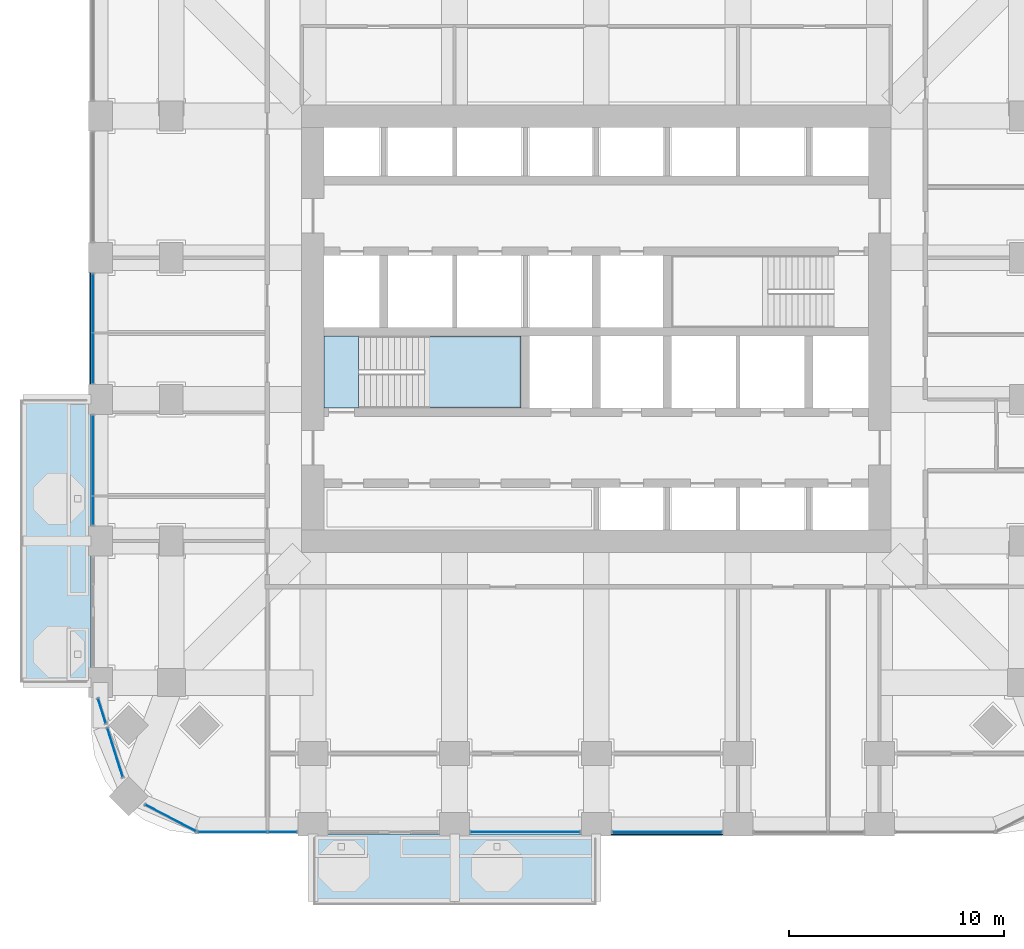
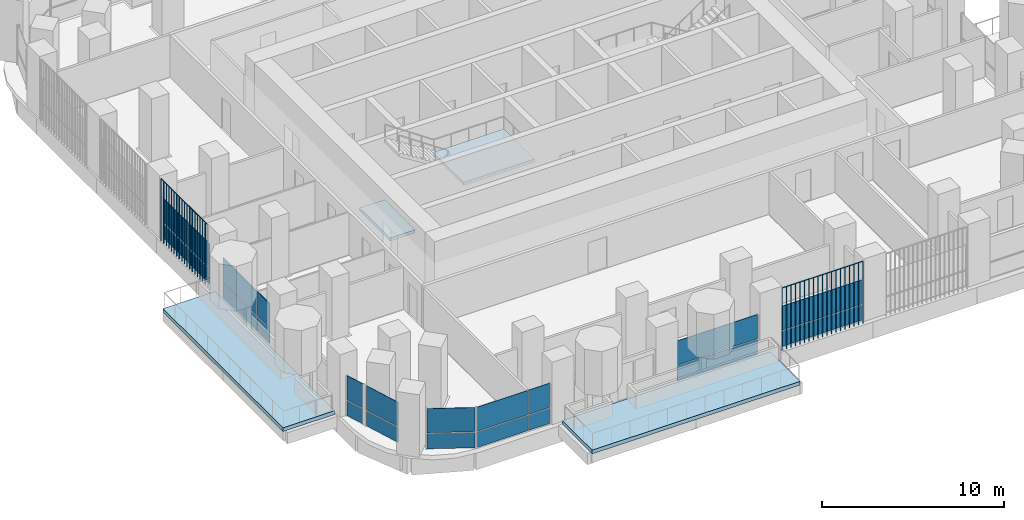
# One storey, part 8 of 21: 24 plates, 4 slabs, 9 elements without a shape of their own.
"""IFC4 building model written with IfcOpenShell, lengths in metres."""

from ifc_helpers import new_model, si_unit, direction, frame, origin, origin_2d, place, context, subcontext, project, spatial, polyline, rectangle, outline, extrude, material, layer, layer_set, type_object, element, aggregate, save


model = new_model("IFC4")

# Units and contexts
model_context = context("Model", 3, precision=1e-05, world=origin(), true_north=direction((0.0, 1.0)))
body_context = subcontext(model_context, "Body", "Model", "MODEL_VIEW")
ifc_project = project(units=[si_unit("LENGTHUNIT", "METRE"), si_unit("AREAUNIT", "SQUARE_METRE"), si_unit("VOLUMEUNIT", "CUBIC_METRE"), si_unit("PLANEANGLEUNIT", "RADIAN"), si_unit("MASSUNIT", "GRAM", prefix="KILO")], contexts=[model_context])

# Site, building, storey
site_placement = place(None, origin())
site = spatial("IfcSite", under=ifc_project, at=site_placement, CompositionType="ELEMENT")
building_placement = place(site_placement, origin())
building = spatial("IfcBuilding", under=site, at=building_placement, Name="Cobogo Forest Laboratory Tower", CompositionType="ELEMENT")
storey_placement = place(building_placement, frame((0.0, 0.0, 124.199951171875)))
storey = spatial("IfcBuildingStorey", under=building, at=storey_placement, Name="L28", CompositionType="ELEMENT", Elevation=124.199951171875)

# Slabs
ifc_material_1 = material(Name="Concrete HA-40 (C40/50)", Category="concrete")
ifc_layer_1 = layer(ifc_material_1, 0.25)
ifc_layer_set_1 = layer_set([ifc_layer_1], Name="Balcony slab 250")
slab_type_1 = type_object("IfcSlabType", Name="Balcony slab 250", PredefinedType="FLOOR", material=ifc_layer_set_1)
slab_1_placement = place(storey_placement, frame((0.0, 0.0, -0.25)))
element("IfcSlab", 1, at=slab_1_placement, inside=storey, type_object=slab_type_1, Name="Balcony BAL-S1 L28", PredefinedType="FLOOR", context=body_context, shape_type="SweptSolid", body=[
    extrude(outline(polyline([(13.199951171875, -3.75), (26.39990234375, -3.75), (26.39990234375, -0.449951171875), (13.199951171875, -0.449951171875), (13.199951171875, -3.75)])), origin(), (0.0, 0.0, 1.0), 0.25),
])
slab_2_placement = place(storey_placement, frame((0.0, 0.0, -0.25)))
element("IfcSlab", 2, at=slab_2_placement, inside=storey, type_object=slab_type_1, Name="Balcony BAL-W1 L28", PredefinedType="FLOOR", context=body_context, shape_type="SweptSolid", body=[
    extrude(outline(polyline([(-0.449951171875, 6.60009765625), (2.85009765625, 6.60009765625), (2.85009765625, 19.800048828125), (-0.449951171875, 19.800048828125), (-0.449951171875, 6.60009765625)])), origin(), (0.0, 0.0, 1.0), 0.25),
])

# Curtain wall, plates
ifc_material_2 = material(Name="Aluminium curtain wall", Category="aluminium")
curtain_wall_type = type_object("IfcCurtainWallType", Name="CW-1 unitised curtain wall, clear glazing, laboratory floors zones A and B", PredefinedType="USERDEFINED", material=ifc_material_2)
curtain_wall_1_placement = place(storey_placement, origin())
curtain_wall_1 = element("IfcCurtainWall", 3, at=curtain_wall_1_placement, inside=storey, type_object=curtain_wall_type, Name="Curtain wall 01 L28", ObjectType="UNITISED CURTAIN WALL", PredefinedType="USERDEFINED")
ifc_material_3 = material(Name="Clear insulated glass", Category="glass")
ifc_layer_2 = layer(ifc_material_3, 0.028076171875)
ifc_layer_set_2 = layer_set([ifc_layer_2], Name="GP-1 clear insulated glass unit 28")
plate_type_1 = type_object("IfcPlateType", Name="GP-1 clear insulated glass unit 28", PredefinedType="CURTAIN_PANEL", material=ifc_layer_set_2)
plate_1_placement = place(storey_placement, frame((9.452392578125, -0.35009765625, 0.0), z_axis=(0.0, 0.0, 1.0), x_axis=(1.0, 0.0, 0.0)))
plate_1 = element("IfcPlate", 4, at=plate_1_placement, type_object=plate_type_1, Name="CW-1 panel 1.1", PredefinedType="CURTAIN_PANEL", context=body_context, shape_type="SweptSolid", body=[
    extrude(rectangle(XDim=3.18505859375, YDim=0.028076171875, at=origin_2d()), origin(), (0.0, 0.0, 1.0), 1.02001953125),
])
plate_2_placement = place(storey_placement, frame((9.452392578125, -0.35009765625, 1.080078125), z_axis=(0.0, 0.0, 1.0), x_axis=(1.0, 0.0, 0.0)))
plate_2 = element("IfcPlate", 5, at=plate_2_placement, type_object=plate_type_1, Name="CW-1 panel 1.2", PredefinedType="CURTAIN_PANEL", context=body_context, shape_type="SweptSolid", body=[
    extrude(rectangle(XDim=3.18505859375, YDim=0.028076171875, at=origin_2d()), origin(), (0.0, 0.0, 1.0), 1.6201171875),
])
plate_3_placement = place(storey_placement, frame((11.7724609375, -0.35009765625, 0.0), z_axis=(0.0, 0.0, 1.0), x_axis=(1.0, 0.0, 0.0)))
plate_3 = element("IfcPlate", 6, at=plate_3_placement, type_object=plate_type_1, Name="CW-1 panel 2.1", PredefinedType="CURTAIN_PANEL", context=body_context, shape_type="SweptSolid", body=[
    extrude(rectangle(XDim=1.3349609375, YDim=0.028076171875, at=origin_2d()), origin(), (0.0, 0.0, 1.0), 1.02001953125),
])
plate_4_placement = place(storey_placement, frame((11.7724609375, -0.35009765625, 1.080078125), z_axis=(0.0, 0.0, 1.0), x_axis=(1.0, 0.0, 0.0)))
plate_4 = element("IfcPlate", 7, at=plate_4_placement, type_object=plate_type_1, Name="CW-1 panel 2.2", PredefinedType="CURTAIN_PANEL", context=body_context, shape_type="SweptSolid", body=[
    extrude(rectangle(XDim=1.3349609375, YDim=0.028076171875, at=origin_2d()), origin(), (0.0, 0.0, 1.0), 1.6201171875),
])
aggregate(curtain_wall_1, [plate_1, plate_2, plate_3, plate_4])

curtain_wall_2_placement = place(storey_placement, origin())
curtain_wall_2 = element("IfcCurtainWall", 8, at=curtain_wall_2_placement, inside=storey, type_object=curtain_wall_type, Name="Curtain wall 03 L28", ObjectType="UNITISED CURTAIN WALL", PredefinedType="USERDEFINED")
plate_5_placement = place(storey_placement, frame((23.10009765625, -0.35009765625, 0.0), z_axis=(0.0, 0.0, 1.0), x_axis=(1.0, 0.0, 0.0)))
plate_5 = element("IfcPlate", 9, at=plate_5_placement, type_object=plate_type_1, Name="CW-1 panel 1.1", PredefinedType="CURTAIN_PANEL", context=body_context, shape_type="SweptSolid", body=[
    extrude(rectangle(XDim=5.080078125, YDim=0.028076171875, at=origin_2d()), origin(), (0.0, 0.0, 1.0), 1.02001953125),
])
plate_6_placement = place(storey_placement, frame((23.10009765625, -0.35009765625, 1.080078125), z_axis=(0.0, 0.0, 1.0), x_axis=(1.0, 0.0, 0.0)))
plate_6 = element("IfcPlate", 10, at=plate_6_placement, type_object=plate_type_1, Name="CW-1 panel 1.2", PredefinedType="CURTAIN_PANEL", context=body_context, shape_type="SweptSolid", body=[
    extrude(rectangle(XDim=5.080078125, YDim=0.028076171875, at=origin_2d()), origin(), (0.0, 0.0, 1.0), 1.6201171875),
])
aggregate(curtain_wall_2, [plate_5, plate_6])

curtain_wall_3_placement = place(storey_placement, origin())
curtain_wall_3 = element("IfcCurtainWall", 11, at=curtain_wall_3_placement, inside=storey, type_object=curtain_wall_type, Name="Curtain wall 04 L28", ObjectType="UNITISED CURTAIN WALL", PredefinedType="USERDEFINED")
plate_7_placement = place(storey_placement, frame((29.699951171875, -0.35009765625, 0.0), z_axis=(0.0, 0.0, 1.0), x_axis=(1.0, 0.0, 0.0)))
plate_7 = element("IfcPlate", 12, at=plate_7_placement, type_object=plate_type_1, Name="CW-1 panel 1.1", PredefinedType="CURTAIN_PANEL", context=body_context, shape_type="SweptSolid", body=[
    extrude(rectangle(XDim=5.080078125, YDim=0.028076171875, at=origin_2d()), origin(), (0.0, 0.0, 1.0), 1.02001953125),
])
plate_8_placement = place(storey_placement, frame((29.699951171875, -0.35009765625, 1.080078125), z_axis=(0.0, 0.0, 1.0), x_axis=(1.0, 0.0, 0.0)))
plate_8 = element("IfcPlate", 13, at=plate_8_placement, type_object=plate_type_1, Name="CW-1 panel 1.2", PredefinedType="CURTAIN_PANEL", context=body_context, shape_type="SweptSolid", body=[
    extrude(rectangle(XDim=5.080078125, YDim=0.028076171875, at=origin_2d()), origin(), (0.0, 0.0, 1.0), 1.6201171875),
])
aggregate(curtain_wall_3, [plate_7, plate_8])

curtain_wall_4_placement = place(storey_placement, origin())
curtain_wall_4 = element("IfcCurtainWall", 14, at=curtain_wall_4_placement, inside=storey, type_object=curtain_wall_type, Name="Curtain wall 29 L28", ObjectType="UNITISED CURTAIN WALL", PredefinedType="USERDEFINED")
plate_9_placement = place(storey_placement, frame((2.949951171875, 24.284912109375, 0.0), z_axis=(0.0, 0.0, 1.0), x_axis=(0.0, -1.0, 0.0)))
plate_9 = element("IfcPlate", 15, at=plate_9_placement, type_object=plate_type_1, Name="CW-1 panel 1.1", PredefinedType="CURTAIN_PANEL", context=body_context, shape_type="SweptSolid", body=[
    extrude(rectangle(XDim=2.7099609375, YDim=0.028076171875, at=origin_2d()), origin(), (0.0, 0.0, 1.0), 1.02001953125),
])
plate_10_placement = place(storey_placement, frame((2.949951171875, 24.284912109375, 1.080078125), z_axis=(0.0, 0.0, 1.0), x_axis=(0.0, -1.0, 0.0)))
plate_10 = element("IfcPlate", 16, at=plate_10_placement, type_object=plate_type_1, Name="CW-1 panel 1.2", PredefinedType="CURTAIN_PANEL", context=body_context, shape_type="SweptSolid", body=[
    extrude(rectangle(XDim=2.7099609375, YDim=0.028076171875, at=origin_2d()), origin(), (0.0, 0.0, 1.0), 1.6201171875),
])
plate_11_placement = place(storey_placement, frame((2.949951171875, 21.715087890625, 0.0), z_axis=(0.0, 0.0, 1.0), x_axis=(0.0, -1.0, 0.0)))
plate_11 = element("IfcPlate", 17, at=plate_11_placement, type_object=plate_type_1, Name="CW-1 panel 2.1", PredefinedType="CURTAIN_PANEL", context=body_context, shape_type="SweptSolid", body=[
    extrude(rectangle(XDim=2.31005859375, YDim=0.028076171875, at=origin_2d()), origin(), (0.0, 0.0, 1.0), 1.02001953125),
])
plate_12_placement = place(storey_placement, frame((2.949951171875, 21.715087890625, 1.080078125), z_axis=(0.0, 0.0, 1.0), x_axis=(0.0, -1.0, 0.0)))
plate_12 = element("IfcPlate", 18, at=plate_12_placement, type_object=plate_type_1, Name="CW-1 panel 2.2", PredefinedType="CURTAIN_PANEL", context=body_context, shape_type="SweptSolid", body=[
    extrude(rectangle(XDim=2.31005859375, YDim=0.028076171875, at=origin_2d()), origin(), (0.0, 0.0, 1.0), 1.6201171875),
])
aggregate(curtain_wall_4, [plate_9, plate_10, plate_11, plate_12])

curtain_wall_5_placement = place(storey_placement, origin())
curtain_wall_5 = element("IfcCurtainWall", 19, at=curtain_wall_5_placement, inside=storey, type_object=curtain_wall_type, Name="Curtain wall 30 L28", ObjectType="UNITISED CURTAIN WALL", PredefinedType="USERDEFINED")
plate_13_placement = place(storey_placement, frame((2.949951171875, 17.18505859375, 0.0), z_axis=(0.0, 0.0, 1.0), x_axis=(0.0, -1.0, 0.0)))
plate_13 = element("IfcPlate", 20, at=plate_13_placement, type_object=plate_type_1, Name="CW-1 panel 1.1", PredefinedType="CURTAIN_PANEL", context=body_context, shape_type="SweptSolid", body=[
    extrude(rectangle(XDim=3.7099609375, YDim=0.028076171875, at=origin_2d()), origin(), (0.0, 0.0, 1.0), 1.02001953125),
])
plate_14_placement = place(storey_placement, frame((2.949951171875, 17.18505859375, 1.080078125), z_axis=(0.0, 0.0, 1.0), x_axis=(0.0, -1.0, 0.0)))
plate_14 = element("IfcPlate", 21, at=plate_14_placement, type_object=plate_type_1, Name="CW-1 panel 1.2", PredefinedType="CURTAIN_PANEL", context=body_context, shape_type="SweptSolid", body=[
    extrude(rectangle(XDim=3.7099609375, YDim=0.028076171875, at=origin_2d()), origin(), (0.0, 0.0, 1.0), 1.6201171875),
])
plate_15_placement = place(storey_placement, frame((2.949951171875, 14.614990234375, 0.0), z_axis=(0.0, 0.0, 1.0), x_axis=(0.0, -1.0, 0.0)))
plate_15 = element("IfcPlate", 22, at=plate_15_placement, type_object=plate_type_1, Name="CW-1 panel 2.1", PredefinedType="CURTAIN_PANEL", context=body_context, shape_type="SweptSolid", body=[
    extrude(rectangle(XDim=1.31005859375, YDim=0.028076171875, at=origin_2d()), origin(), (0.0, 0.0, 1.0), 1.02001953125),
])
plate_16_placement = place(storey_placement, frame((2.949951171875, 14.614990234375, 1.080078125), z_axis=(0.0, 0.0, 1.0), x_axis=(0.0, -1.0, 0.0)))
plate_16 = element("IfcPlate", 23, at=plate_16_placement, type_object=plate_type_1, Name="CW-1 panel 2.2", PredefinedType="CURTAIN_PANEL", context=body_context, shape_type="SweptSolid", body=[
    extrude(rectangle(XDim=1.31005859375, YDim=0.028076171875, at=origin_2d()), origin(), (0.0, 0.0, 1.0), 1.6201171875),
])
aggregate(curtain_wall_5, [plate_13, plate_14, plate_15, plate_16])

curtain_wall_6_placement = place(storey_placement, origin())
curtain_wall_6 = element("IfcCurtainWall", 24, at=curtain_wall_6_placement, inside=storey, type_object=curtain_wall_type, Name="Curtain wall 32 L28", ObjectType="UNITISED CURTAIN WALL", PredefinedType="USERDEFINED")
plate_17_placement = place(storey_placement, frame((3.3662109375, 5.2822265625, 0.0), z_axis=(0.0, 0.0, 1.0), x_axis=(0.301135356805, -0.953581405483, 0.0)))
plate_17 = element("IfcPlate", 25, at=plate_17_placement, type_object=plate_type_1, Name="CW-1 panel 1.1", PredefinedType="CURTAIN_PANEL", context=body_context, shape_type="SweptSolid", body=[
    extrude(rectangle(XDim=1.17578125, YDim=0.028076171875, at=origin_2d()), origin(), (0.0, 0.0, 1.0), 1.02001953125),
])
plate_18_placement = place(storey_placement, frame((3.3662109375, 5.2822265625, 1.080078125), z_axis=(0.0, 0.0, 1.0), x_axis=(0.301135356805, -0.953581405483, 0.0)))
plate_18 = element("IfcPlate", 26, at=plate_18_placement, type_object=plate_type_1, Name="CW-1 panel 1.2", PredefinedType="CURTAIN_PANEL", context=body_context, shape_type="SweptSolid", body=[
    extrude(rectangle(XDim=1.17578125, YDim=0.028076171875, at=origin_2d()), origin(), (0.0, 0.0, 1.0), 1.6201171875),
])
aggregate(curtain_wall_6, [plate_17, plate_18])

curtain_wall_7_placement = place(storey_placement, origin())
curtain_wall_7 = element("IfcCurtainWall", 27, at=curtain_wall_7_placement, inside=storey, type_object=curtain_wall_type, Name="Curtain wall 33 L28", ObjectType="UNITISED CURTAIN WALL", PredefinedType="USERDEFINED")
plate_19_placement = place(storey_placement, frame((3.978759765625, 3.342529296875, 0.0), z_axis=(0.0, 0.0, 1.0), x_axis=(0.301135291996, -0.953581425949, 0.0)))
plate_19 = element("IfcPlate", 28, at=plate_19_placement, type_object=plate_type_1, Name="CW-1 panel 1.1", PredefinedType="CURTAIN_PANEL", context=body_context, shape_type="SweptSolid", body=[
    extrude(rectangle(XDim=2.3681640625, YDim=0.028076171875, at=origin_2d()), origin(), (0.0, 0.0, 1.0), 1.02001953125),
])
plate_20_placement = place(storey_placement, frame((3.978759765625, 3.342529296875, 1.080078125), z_axis=(0.0, 0.0, 1.0), x_axis=(0.301135291996, -0.953581425949, 0.0)))
plate_20 = element("IfcPlate", 29, at=plate_20_placement, type_object=plate_type_1, Name="CW-1 panel 1.2", PredefinedType="CURTAIN_PANEL", context=body_context, shape_type="SweptSolid", body=[
    extrude(rectangle(XDim=2.3681640625, YDim=0.028076171875, at=origin_2d()), origin(), (0.0, 0.0, 1.0), 1.6201171875),
])
aggregate(curtain_wall_7, [plate_19, plate_20])

curtain_wall_8_placement = place(storey_placement, origin())
curtain_wall_8 = element("IfcCurtainWall", 30, at=curtain_wall_8_placement, inside=storey, type_object=curtain_wall_type, Name="Curtain wall 34 L28", ObjectType="UNITISED CURTAIN WALL", PredefinedType="USERDEFINED")
plate_21_placement = place(storey_placement, frame((6.57080078125, 0.29443359375, 0.0), z_axis=(0.0, 0.0, 1.0), x_axis=(0.885686547075, -0.464283685186, 0.0)))
plate_21 = element("IfcPlate", 31, at=plate_21_placement, type_object=plate_type_1, Name="CW-1 panel 1.1", PredefinedType="CURTAIN_PANEL", context=body_context, shape_type="SweptSolid", body=[
    extrude(rectangle(XDim=2.655517578125, YDim=0.028076171875, at=origin_2d()), origin(), (0.0, 0.0, 1.0), 1.02001953125),
])
plate_22_placement = place(storey_placement, frame((6.57080078125, 0.29443359375, 1.080078125), z_axis=(0.0, 0.0, 1.0), x_axis=(0.885686547075, -0.464283685186, 0.0)))
plate_22 = element("IfcPlate", 32, at=plate_22_placement, type_object=plate_type_1, Name="CW-1 panel 1.2", PredefinedType="CURTAIN_PANEL", context=body_context, shape_type="SweptSolid", body=[
    extrude(rectangle(XDim=2.655517578125, YDim=0.028076171875, at=origin_2d()), origin(), (0.0, 0.0, 1.0), 1.6201171875),
])
aggregate(curtain_wall_8, [plate_21, plate_22])

# Stair, slabs
ifc_material_4 = material(Name="Precast concrete HA-40 (C40/50)", Category="concrete")
stair_type = type_object("IfcStairType", Name="ST24 exit stair 24 risers", PredefinedType="HALF_TURN_STAIR", material=ifc_material_4)
stair_placement = place(storey_placement, origin())
stair = element("IfcStair", 33, at=stair_placement, inside=storey, type_object=stair_type, Name="Stair 1 L28 to L29", PredefinedType="HALF_TURN_STAIR")
ifc_layer_3 = layer(ifc_material_1, 0.199951171875)
ifc_layer_set_3 = layer_set([ifc_layer_3], Name="SL stair landing 200")
slab_type_2 = type_object("IfcSlabType", Name="SL stair landing 200", PredefinedType="LANDING", material=ifc_layer_set_3)
slab_3_placement = place(storey_placement, frame((0.0, 0.0, -0.199951171875)))
slab_3 = element("IfcSlab", 34, at=slab_3_placement, type_object=slab_type_2, Name="ST1 landing 1", PredefinedType="LANDING", context=body_context, shape_type="SweptSolid", body=[
    extrude(outline(polyline([(13.72509765625, 19.39990234375), (15.326904296875, 19.39990234375), (15.326904296875, 22.75), (13.72509765625, 22.75), (13.72509765625, 19.39990234375)])), origin(), (0.0, 0.0, 1.0), 0.199951171875),
])
slab_4_placement = place(storey_placement, frame((0.0, 0.0, 1.900146484375)))
slab_4 = element("IfcSlab", 35, at=slab_4_placement, type_object=slab_type_2, Name="ST1 landing 2", PredefinedType="LANDING", context=body_context, shape_type="SweptSolid", body=[
    extrude(outline(polyline([(18.403076171875, 19.39990234375), (22.89990234375, 19.39990234375), (22.89990234375, 22.75), (18.403076171875, 22.75), (18.403076171875, 19.39990234375)])), origin(), (0.0, 0.0, 1.0), 0.199951171875),
])
aggregate(stair, [slab_3, slab_4])

# Plates
ifc_material_5 = material(Name="Terracotta", Category="masonry")
plate_type_2 = type_object("IfcPlateType", Name="TB1 terracotta baguette screen", PredefinedType="USERDEFINED", material=ifc_material_5)
plate_23_placement = place(storey_placement, frame((27.13134765625, -0.477783203125, -0.14990234375)))
element("IfcPlate", 36, at=plate_23_placement, inside=storey, type_object=plate_type_2, Name="Baguette screen S3 L28", ObjectType="BAGUETTE SCREEN", PredefinedType="USERDEFINED", context=body_context, shape_type="SweptSolid", body=[
    extrude(outline(polyline([(0.02880859375, 0.011962890625), (0.011962890625, 0.02880859375), (-0.011962890625, 0.02880859375), (-0.02880859375, 0.011962890625), (-0.02880859375, -0.011962890625), (-0.011962890625, -0.02880859375), (0.011962890625, -0.02880859375), (0.02880859375, -0.011962890625), (0.02880859375, 0.011962890625)])), frame((0.0, 0.0, 4.168701171875), z_axis=(1.0, 0.0, 0.0), x_axis=(0.0, 1.0, 0.0)), (0.0, 0.0, 1.0), 5.137451171875),
    extrude(outline(polyline([(0.02880859375, 0.011962890625), (0.011962890625, 0.02880859375), (-0.011962890625, 0.02880859375), (-0.02880859375, 0.011962890625), (-0.02880859375, -0.011962890625), (-0.011962890625, -0.02880859375), (0.011962890625, -0.02880859375), (0.02880859375, -0.011962890625), (0.02880859375, 0.011962890625)])), origin(), (0.0, 0.0, 1.0), 4.137451171875),
    extrude(outline(polyline([(0.02880859375, 0.011962890625), (0.011962890625, 0.02880859375), (-0.011962890625, 0.02880859375), (-0.02880859375, 0.011962890625), (-0.02880859375, -0.011962890625), (-0.011962890625, -0.02880859375), (0.011962890625, -0.02880859375), (0.02880859375, -0.011962890625), (0.02880859375, 0.011962890625)])), frame((0.285400390625, 0.0, 0.0)), (0.0, 0.0, 1.0), 4.137451171875),
    extrude(outline(polyline([(0.02880859375, 0.011962890625), (0.011962890625, 0.02880859375), (-0.011962890625, 0.02880859375), (-0.02880859375, 0.011962890625), (-0.02880859375, -0.011962890625), (-0.011962890625, -0.02880859375), (0.011962890625, -0.02880859375), (0.02880859375, -0.011962890625), (0.02880859375, 0.011962890625)])), frame((0.57080078125, 0.0, 0.0)), (0.0, 0.0, 1.0), 4.137451171875),
    extrude(outline(polyline([(0.02880859375, 0.011962890625), (0.011962890625, 0.02880859375), (-0.011962890625, 0.02880859375), (-0.02880859375, 0.011962890625), (-0.02880859375, -0.011962890625), (-0.011962890625, -0.02880859375), (0.011962890625, -0.02880859375), (0.02880859375, -0.011962890625), (0.02880859375, 0.011962890625)])), frame((0.856201171875, 0.0, 0.0)), (0.0, 0.0, 1.0), 4.137451171875),
    extrude(outline(polyline([(0.02880859375, 0.011962890625), (0.011962890625, 0.02880859375), (-0.011962890625, 0.02880859375), (-0.02880859375, 0.011962890625), (-0.02880859375, -0.011962890625), (-0.011962890625, -0.02880859375), (0.011962890625, -0.02880859375), (0.02880859375, -0.011962890625), (0.02880859375, 0.011962890625)])), frame((1.1416015625, 0.0, 0.0)), (0.0, 0.0, 1.0), 4.137451171875),
    extrude(outline(polyline([(0.02880859375, 0.011962890625), (0.011962890625, 0.02880859375), (-0.011962890625, 0.02880859375), (-0.02880859375, 0.011962890625), (-0.02880859375, -0.011962890625), (-0.011962890625, -0.02880859375), (0.011962890625, -0.02880859375), (0.02880859375, -0.011962890625), (0.02880859375, 0.011962890625)])), frame((1.427001953125, 0.0, 0.0)), (0.0, 0.0, 1.0), 4.137451171875),
    extrude(outline(polyline([(0.02880859375, 0.011962890625), (0.011962890625, 0.02880859375), (-0.011962890625, 0.02880859375), (-0.02880859375, 0.011962890625), (-0.02880859375, -0.011962890625), (-0.011962890625, -0.02880859375), (0.011962890625, -0.02880859375), (0.02880859375, -0.011962890625), (0.02880859375, 0.011962890625)])), frame((1.71240234375, 0.0, 0.0)), (0.0, 0.0, 1.0), 4.137451171875),
    extrude(outline(polyline([(0.02880859375, 0.011962890625), (0.011962890625, 0.02880859375), (-0.011962890625, 0.02880859375), (-0.02880859375, 0.011962890625), (-0.02880859375, -0.011962890625), (-0.011962890625, -0.02880859375), (0.011962890625, -0.02880859375), (0.02880859375, -0.011962890625), (0.02880859375, 0.011962890625)])), frame((1.997802734375, 0.0, 0.0)), (0.0, 0.0, 1.0), 4.137451171875),
    extrude(outline(polyline([(0.02880859375, 0.011962890625), (0.011962890625, 0.02880859375), (-0.011962890625, 0.02880859375), (-0.02880859375, 0.011962890625), (-0.02880859375, -0.011962890625), (-0.011962890625, -0.02880859375), (0.011962890625, -0.02880859375), (0.02880859375, -0.011962890625), (0.02880859375, 0.011962890625)])), frame((2.283203125, 0.0, 0.0)), (0.0, 0.0, 1.0), 4.137451171875),
    extrude(outline(polyline([(0.02880859375, 0.011962890625), (0.011962890625, 0.02880859375), (-0.011962890625, 0.02880859375), (-0.02880859375, 0.011962890625), (-0.02880859375, -0.011962890625), (-0.011962890625, -0.02880859375), (0.011962890625, -0.02880859375), (0.02880859375, -0.011962890625), (0.02880859375, 0.011962890625)])), frame((2.56884765625, 0.0, 0.0)), (0.0, 0.0, 1.0), 4.137451171875),
    extrude(outline(polyline([(0.02880859375, 0.011962890625), (0.011962890625, 0.02880859375), (-0.011962890625, 0.02880859375), (-0.02880859375, 0.011962890625), (-0.02880859375, -0.011962890625), (-0.011962890625, -0.02880859375), (0.011962890625, -0.02880859375), (0.02880859375, -0.011962890625), (0.02880859375, 0.011962890625)])), frame((2.854248046875, 0.0, 0.0)), (0.0, 0.0, 1.0), 4.137451171875),
    extrude(outline(polyline([(0.02880859375, 0.011962890625), (0.011962890625, 0.02880859375), (-0.011962890625, 0.02880859375), (-0.02880859375, 0.011962890625), (-0.02880859375, -0.011962890625), (-0.011962890625, -0.02880859375), (0.011962890625, -0.02880859375), (0.02880859375, -0.011962890625), (0.02880859375, 0.011962890625)])), frame((3.1396484375, 0.0, 0.0)), (0.0, 0.0, 1.0), 4.137451171875),
    extrude(outline(polyline([(0.02880859375, 0.011962890625), (0.011962890625, 0.02880859375), (-0.011962890625, 0.02880859375), (-0.02880859375, 0.011962890625), (-0.02880859375, -0.011962890625), (-0.011962890625, -0.02880859375), (0.011962890625, -0.02880859375), (0.02880859375, -0.011962890625), (0.02880859375, 0.011962890625)])), frame((3.425048828125, 0.0, 0.0)), (0.0, 0.0, 1.0), 4.137451171875),
    extrude(outline(polyline([(0.02880859375, 0.011962890625), (0.011962890625, 0.02880859375), (-0.011962890625, 0.02880859375), (-0.02880859375, 0.011962890625), (-0.02880859375, -0.011962890625), (-0.011962890625, -0.02880859375), (0.011962890625, -0.02880859375), (0.02880859375, -0.011962890625), (0.02880859375, 0.011962890625)])), frame((3.71044921875, 0.0, 0.0)), (0.0, 0.0, 1.0), 4.137451171875),
    extrude(outline(polyline([(0.02880859375, 0.011962890625), (0.011962890625, 0.02880859375), (-0.011962890625, 0.02880859375), (-0.02880859375, 0.011962890625), (-0.02880859375, -0.011962890625), (-0.011962890625, -0.02880859375), (0.011962890625, -0.02880859375), (0.02880859375, -0.011962890625), (0.02880859375, 0.011962890625)])), frame((3.995849609375, 0.0, 0.0)), (0.0, 0.0, 1.0), 4.137451171875),
    extrude(outline(polyline([(0.02880859375, 0.011962890625), (0.011962890625, 0.02880859375), (-0.011962890625, 0.02880859375), (-0.02880859375, 0.011962890625), (-0.02880859375, -0.011962890625), (-0.011962890625, -0.02880859375), (0.011962890625, -0.02880859375), (0.02880859375, -0.011962890625), (0.02880859375, 0.011962890625)])), frame((4.28125, 0.0, 0.0)), (0.0, 0.0, 1.0), 4.137451171875),
    extrude(outline(polyline([(0.02880859375, 0.011962890625), (0.011962890625, 0.02880859375), (-0.011962890625, 0.02880859375), (-0.02880859375, 0.011962890625), (-0.02880859375, -0.011962890625), (-0.011962890625, -0.02880859375), (0.011962890625, -0.02880859375), (0.02880859375, -0.011962890625), (0.02880859375, 0.011962890625)])), frame((4.566650390625, 0.0, 0.0)), (0.0, 0.0, 1.0), 4.137451171875),
    extrude(outline(polyline([(0.02880859375, 0.011962890625), (0.011962890625, 0.02880859375), (-0.011962890625, 0.02880859375), (-0.02880859375, 0.011962890625), (-0.02880859375, -0.011962890625), (-0.011962890625, -0.02880859375), (0.011962890625, -0.02880859375), (0.02880859375, -0.011962890625), (0.02880859375, 0.011962890625)])), frame((4.85205078125, 0.0, 0.0)), (0.0, 0.0, 1.0), 4.137451171875),
    extrude(outline(polyline([(0.02880859375, 0.011962890625), (0.011962890625, 0.02880859375), (-0.011962890625, 0.02880859375), (-0.02880859375, 0.011962890625), (-0.02880859375, -0.011962890625), (-0.011962890625, -0.02880859375), (0.011962890625, -0.02880859375), (0.02880859375, -0.011962890625), (0.02880859375, 0.011962890625)])), frame((5.137451171875, 0.0, 0.0)), (0.0, 0.0, 1.0), 4.137451171875),
])
plate_24_placement = place(storey_placement, frame((2.822021484375, 20.53125, -0.14990234375)))
element("IfcPlate", 37, at=plate_24_placement, inside=storey, type_object=plate_type_2, Name="Baguette screen W3 L28", ObjectType="BAGUETTE SCREEN", PredefinedType="USERDEFINED", context=body_context, shape_type="SweptSolid", body=[
    extrude(outline(polyline([(0.02880859375, 0.011962890625), (0.011962890625, 0.02880859375), (-0.011962890625, 0.02880859375), (-0.02880859375, 0.011962890625), (-0.02880859375, -0.011962890625), (-0.011962890625, -0.02880859375), (0.011962890625, -0.02880859375), (0.02880859375, -0.011962890625), (0.02880859375, 0.011962890625)])), frame((0.0, 0.0, 4.168701171875), z_axis=(0.0, 1.0, 0.0), x_axis=(-1.0, 0.0, 0.0)), (0.0, 0.0, 1.0), 5.137451171875),
    extrude(outline(polyline([(0.02880859375, 0.011962890625), (0.011962890625, 0.02880859375), (-0.011962890625, 0.02880859375), (-0.02880859375, 0.011962890625), (-0.02880859375, -0.011962890625), (-0.011962890625, -0.02880859375), (0.011962890625, -0.02880859375), (0.02880859375, -0.011962890625), (0.02880859375, 0.011962890625)])), origin(), (0.0, 0.0, 1.0), 4.137451171875),
    extrude(outline(polyline([(0.02880859375, 0.011962890625), (0.011962890625, 0.02880859375), (-0.011962890625, 0.02880859375), (-0.02880859375, 0.011962890625), (-0.02880859375, -0.011962890625), (-0.011962890625, -0.02880859375), (0.011962890625, -0.02880859375), (0.02880859375, -0.011962890625), (0.02880859375, 0.011962890625)])), frame((0.0, 0.285400390625, 0.0)), (0.0, 0.0, 1.0), 4.137451171875),
    extrude(outline(polyline([(0.02880859375, 0.011962890625), (0.011962890625, 0.02880859375), (-0.011962890625, 0.02880859375), (-0.02880859375, 0.011962890625), (-0.02880859375, -0.011962890625), (-0.011962890625, -0.02880859375), (0.011962890625, -0.02880859375), (0.02880859375, -0.011962890625), (0.02880859375, 0.011962890625)])), frame((0.0, 0.57080078125, 0.0)), (0.0, 0.0, 1.0), 4.137451171875),
    extrude(outline(polyline([(0.02880859375, 0.011962890625), (0.011962890625, 0.02880859375), (-0.011962890625, 0.02880859375), (-0.02880859375, 0.011962890625), (-0.02880859375, -0.011962890625), (-0.011962890625, -0.02880859375), (0.011962890625, -0.02880859375), (0.02880859375, -0.011962890625), (0.02880859375, 0.011962890625)])), frame((0.0, 0.856201171875, 0.0)), (0.0, 0.0, 1.0), 4.137451171875),
    extrude(outline(polyline([(0.02880859375, 0.011962890625), (0.011962890625, 0.02880859375), (-0.011962890625, 0.02880859375), (-0.02880859375, 0.011962890625), (-0.02880859375, -0.011962890625), (-0.011962890625, -0.02880859375), (0.011962890625, -0.02880859375), (0.02880859375, -0.011962890625), (0.02880859375, 0.011962890625)])), frame((0.0, 1.1416015625, 0.0)), (0.0, 0.0, 1.0), 4.137451171875),
    extrude(outline(polyline([(0.02880859375, 0.011962890625), (0.011962890625, 0.02880859375), (-0.011962890625, 0.02880859375), (-0.02880859375, 0.011962890625), (-0.02880859375, -0.011962890625), (-0.011962890625, -0.02880859375), (0.011962890625, -0.02880859375), (0.02880859375, -0.011962890625), (0.02880859375, 0.011962890625)])), frame((0.0, 1.427001953125, 0.0)), (0.0, 0.0, 1.0), 4.137451171875),
    extrude(outline(polyline([(0.02880859375, 0.011962890625), (0.011962890625, 0.02880859375), (-0.011962890625, 0.02880859375), (-0.02880859375, 0.011962890625), (-0.02880859375, -0.011962890625), (-0.011962890625, -0.02880859375), (0.011962890625, -0.02880859375), (0.02880859375, -0.011962890625), (0.02880859375, 0.011962890625)])), frame((0.0, 1.71240234375, 0.0)), (0.0, 0.0, 1.0), 4.137451171875),
    extrude(outline(polyline([(0.02880859375, 0.011962890625), (0.011962890625, 0.02880859375), (-0.011962890625, 0.02880859375), (-0.02880859375, 0.011962890625), (-0.02880859375, -0.011962890625), (-0.011962890625, -0.02880859375), (0.011962890625, -0.02880859375), (0.02880859375, -0.011962890625), (0.02880859375, 0.011962890625)])), frame((0.0, 1.997802734375, 0.0)), (0.0, 0.0, 1.0), 4.137451171875),
    extrude(outline(polyline([(0.02880859375, 0.011962890625), (0.011962890625, 0.02880859375), (-0.011962890625, 0.02880859375), (-0.02880859375, 0.011962890625), (-0.02880859375, -0.011962890625), (-0.011962890625, -0.02880859375), (0.011962890625, -0.02880859375), (0.02880859375, -0.011962890625), (0.02880859375, 0.011962890625)])), frame((0.0, 2.283203125, 0.0)), (0.0, 0.0, 1.0), 4.137451171875),
    extrude(outline(polyline([(0.02880859375, 0.011962890625), (0.011962890625, 0.02880859375), (-0.011962890625, 0.02880859375), (-0.02880859375, 0.011962890625), (-0.02880859375, -0.011962890625), (-0.011962890625, -0.02880859375), (0.011962890625, -0.02880859375), (0.02880859375, -0.011962890625), (0.02880859375, 0.011962890625)])), frame((0.0, 2.56884765625, 0.0)), (0.0, 0.0, 1.0), 4.137451171875),
    extrude(outline(polyline([(0.02880859375, 0.011962890625), (0.011962890625, 0.02880859375), (-0.011962890625, 0.02880859375), (-0.02880859375, 0.011962890625), (-0.02880859375, -0.011962890625), (-0.011962890625, -0.02880859375), (0.011962890625, -0.02880859375), (0.02880859375, -0.011962890625), (0.02880859375, 0.011962890625)])), frame((0.0, 2.854248046875, 0.0)), (0.0, 0.0, 1.0), 4.137451171875),
    extrude(outline(polyline([(0.02880859375, 0.011962890625), (0.011962890625, 0.02880859375), (-0.011962890625, 0.02880859375), (-0.02880859375, 0.011962890625), (-0.02880859375, -0.011962890625), (-0.011962890625, -0.02880859375), (0.011962890625, -0.02880859375), (0.02880859375, -0.011962890625), (0.02880859375, 0.011962890625)])), frame((0.0, 3.1396484375, 0.0)), (0.0, 0.0, 1.0), 4.137451171875),
    extrude(outline(polyline([(0.02880859375, 0.011962890625), (0.011962890625, 0.02880859375), (-0.011962890625, 0.02880859375), (-0.02880859375, 0.011962890625), (-0.02880859375, -0.011962890625), (-0.011962890625, -0.02880859375), (0.011962890625, -0.02880859375), (0.02880859375, -0.011962890625), (0.02880859375, 0.011962890625)])), frame((0.0, 3.425048828125, 0.0)), (0.0, 0.0, 1.0), 4.137451171875),
    extrude(outline(polyline([(0.02880859375, 0.011962890625), (0.011962890625, 0.02880859375), (-0.011962890625, 0.02880859375), (-0.02880859375, 0.011962890625), (-0.02880859375, -0.011962890625), (-0.011962890625, -0.02880859375), (0.011962890625, -0.02880859375), (0.02880859375, -0.011962890625), (0.02880859375, 0.011962890625)])), frame((0.0, 3.71044921875, 0.0)), (0.0, 0.0, 1.0), 4.137451171875),
    extrude(outline(polyline([(0.02880859375, 0.011962890625), (0.011962890625, 0.02880859375), (-0.011962890625, 0.02880859375), (-0.02880859375, 0.011962890625), (-0.02880859375, -0.011962890625), (-0.011962890625, -0.02880859375), (0.011962890625, -0.02880859375), (0.02880859375, -0.011962890625), (0.02880859375, 0.011962890625)])), frame((0.0, 3.995849609375, 0.0)), (0.0, 0.0, 1.0), 4.137451171875),
    extrude(outline(polyline([(0.02880859375, 0.011962890625), (0.011962890625, 0.02880859375), (-0.011962890625, 0.02880859375), (-0.02880859375, 0.011962890625), (-0.02880859375, -0.011962890625), (-0.011962890625, -0.02880859375), (0.011962890625, -0.02880859375), (0.02880859375, -0.011962890625), (0.02880859375, 0.011962890625)])), frame((0.0, 4.28125, 0.0)), (0.0, 0.0, 1.0), 4.137451171875),
    extrude(outline(polyline([(0.02880859375, 0.011962890625), (0.011962890625, 0.02880859375), (-0.011962890625, 0.02880859375), (-0.02880859375, 0.011962890625), (-0.02880859375, -0.011962890625), (-0.011962890625, -0.02880859375), (0.011962890625, -0.02880859375), (0.02880859375, -0.011962890625), (0.02880859375, 0.011962890625)])), frame((0.0, 4.566650390625, 0.0)), (0.0, 0.0, 1.0), 4.137451171875),
    extrude(outline(polyline([(0.02880859375, 0.011962890625), (0.011962890625, 0.02880859375), (-0.011962890625, 0.02880859375), (-0.02880859375, 0.011962890625), (-0.02880859375, -0.011962890625), (-0.011962890625, -0.02880859375), (0.011962890625, -0.02880859375), (0.02880859375, -0.011962890625), (0.02880859375, 0.011962890625)])), frame((0.0, 4.85205078125, 0.0)), (0.0, 0.0, 1.0), 4.137451171875),
    extrude(outline(polyline([(0.02880859375, 0.011962890625), (0.011962890625, 0.02880859375), (-0.011962890625, 0.02880859375), (-0.02880859375, 0.011962890625), (-0.02880859375, -0.011962890625), (-0.011962890625, -0.02880859375), (0.011962890625, -0.02880859375), (0.02880859375, -0.011962890625), (0.02880859375, 0.011962890625)])), frame((0.0, 5.137451171875, 0.0)), (0.0, 0.0, 1.0), 4.137451171875),
])

save(model, "model.ifc")
